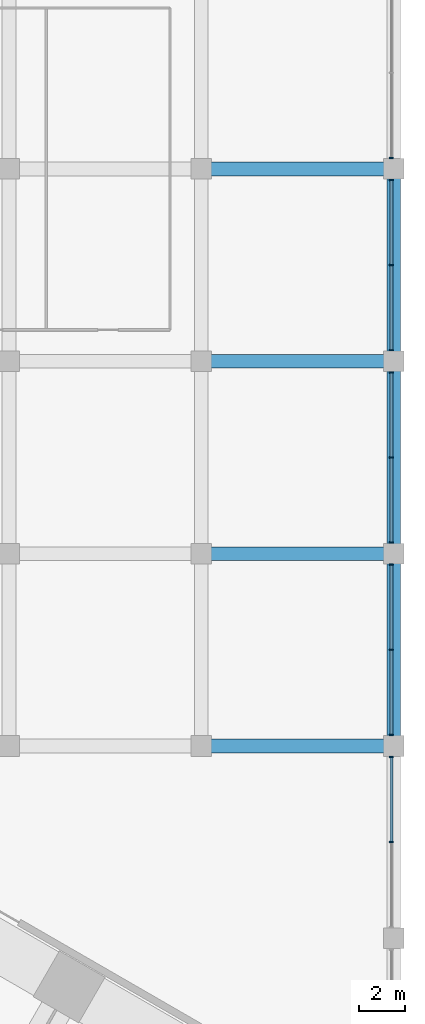
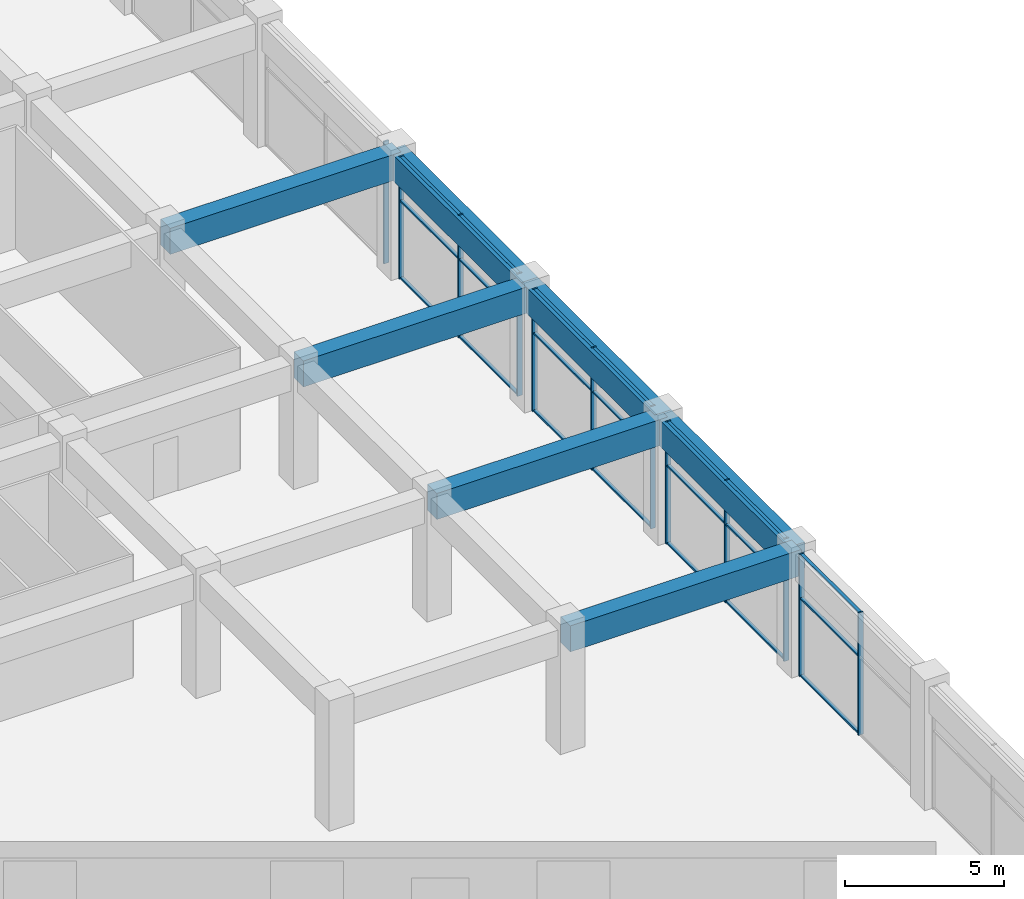
# One storey, part 15 of 36: 33 members, 7 beams, 5 elements without a shape of their own.
"""IFC4 building model written with IfcOpenShell, lengths in metres."""

from ifc_helpers import new_model, si_unit, direction, frame, origin, origin_2d, place, context, subcontext, project, spatial, rectangle, extrude, material, material_profile, profile_set, type_object, element, aggregate, save


model = new_model("IFC4")

# Units and contexts
model_context = context("Model", 3, precision=1e-05, world=origin(), true_north=direction((0.0, 1.0)))
body_context = subcontext(model_context, "Body", "Model", "MODEL_VIEW")
ifc_project = project(units=[si_unit("LENGTHUNIT", "METRE"), si_unit("AREAUNIT", "SQUARE_METRE"), si_unit("VOLUMEUNIT", "CUBIC_METRE"), si_unit("PLANEANGLEUNIT", "RADIAN"), si_unit("MASSUNIT", "GRAM", prefix="KILO")], contexts=[model_context])

# Site, building, storey
site_placement = place(None, origin())
site = spatial("IfcSite", under=ifc_project, at=site_placement, CompositionType="ELEMENT")
building_placement = place(site_placement, origin())
building = spatial("IfcBuilding", under=site, at=building_placement, Name="Impinga Residences", CompositionType="ELEMENT")
storey_placement = place(building_placement, frame((0.0, 0.0, 6.0)))
storey = spatial("IfcBuildingStorey", under=building, at=storey_placement, Name="L01", CompositionType="ELEMENT", Elevation=6.0)

# Curtain wall, member
ifc_material_1 = material(Name="Aluminium stick curtain wall", Category="aluminium")
curtain_wall_type = type_object("IfcCurtainWallType", Name="CW1 podium amenity curtain wall", PredefinedType="USERDEFINED", material=ifc_material_1)
curtain_wall_1_placement = place(storey_placement, origin())
curtain_wall_1 = element("IfcCurtainWall", 1, at=curtain_wall_1_placement, inside=storey, type_object=curtain_wall_type, Name="Curtain wall CW1 L01", ObjectType="STICK CURTAIN WALL", PredefinedType="USERDEFINED")
ifc_material_2 = material(Name="Aluminium mullion", Category="aluminium")
ifc_material_profile_1 = material_profile(ifc_material_2, rectangle(XDim=0.06005859375, YDim=0.179931640625, at=origin_2d()), Name="60x180 mullion")
ifc_profile_set_1 = profile_set([ifc_material_profile_1], Name="Aluminium mullion")
member_type_1 = type_object("IfcMemberType", Name="CW1-M mullion 60x180", PredefinedType="MULLION", material=ifc_profile_set_1)
member_1_placement = place(storey_placement, frame((50.300048828125, 25.68310546875, 0.0), z_axis=(0.0, 0.0, 1.0), x_axis=(0.0, -1.0, 0.0)))
member_1 = element("IfcMember", 2, at=member_1_placement, type_object=member_type_1, Name="CW1 mullion 3", PredefinedType="MULLION", context=body_context, shape_type="SweptSolid", body=[
    extrude(rectangle(XDim=0.06005859375, YDim=0.179931640625, at=origin_2d()), origin(), (0.0, 0.0, 1.0), 4.699951171875),
])
aggregate(curtain_wall_1, [member_1])

# Curtain wall, members
curtain_wall_2_placement = place(storey_placement, origin())
curtain_wall_2 = element("IfcCurtainWall", 3, at=curtain_wall_2_placement, inside=storey, type_object=curtain_wall_type, Name="Curtain wall CW1 L01", ObjectType="STICK CURTAIN WALL", PredefinedType="USERDEFINED")
member_2_placement = place(storey_placement, frame((50.300048828125, 24.717041015625, 0.0), z_axis=(0.0, 0.0, 1.0), x_axis=(0.0, -1.0, 0.0)))
member_2 = element("IfcMember", 4, at=member_2_placement, type_object=member_type_1, Name="CW1 mullion 1", PredefinedType="MULLION", context=body_context, shape_type="SweptSolid", body=[
    extrude(rectangle(XDim=0.06005859375, YDim=0.179931640625, at=origin_2d()), origin(), (0.0, 0.0, 1.0), 4.699951171875),
])
member_3_placement = place(storey_placement, frame((50.300048828125, 21.0, 0.0), z_axis=(0.0, 0.0, 1.0), x_axis=(0.0, -1.0, 0.0)))
member_3 = element("IfcMember", 5, at=member_3_placement, type_object=member_type_1, Name="CW1 mullion 2", PredefinedType="MULLION", context=body_context, shape_type="SweptSolid", body=[
    extrude(rectangle(XDim=0.06005859375, YDim=0.179931640625, at=origin_2d()), origin(), (0.0, 0.0, 1.0), 4.699951171875),
])
member_4_placement = place(storey_placement, frame((50.300048828125, 17.282958984375, 0.0), z_axis=(0.0, 0.0, 1.0), x_axis=(0.0, -1.0, 0.0)))
member_4 = element("IfcMember", 6, at=member_4_placement, type_object=member_type_1, Name="CW1 mullion 3", PredefinedType="MULLION", context=body_context, shape_type="SweptSolid", body=[
    extrude(rectangle(XDim=0.06005859375, YDim=0.179931640625, at=origin_2d()), origin(), (0.0, 0.0, 1.0), 4.699951171875),
])

curtain_wall_3_placement = place(storey_placement, origin())
curtain_wall_3 = element("IfcCurtainWall", 7, at=curtain_wall_3_placement, inside=storey, type_object=curtain_wall_type, Name="Curtain wall CW1 L01", ObjectType="STICK CURTAIN WALL", PredefinedType="USERDEFINED")
member_5_placement = place(storey_placement, frame((50.300048828125, 16.31689453125, 0.0), z_axis=(0.0, 0.0, 1.0), x_axis=(0.0, -1.0, 0.0)))
member_5 = element("IfcMember", 8, at=member_5_placement, type_object=member_type_1, Name="CW1 mullion 1", PredefinedType="MULLION", context=body_context, shape_type="SweptSolid", body=[
    extrude(rectangle(XDim=0.06005859375, YDim=0.179931640625, at=origin_2d()), origin(), (0.0, 0.0, 1.0), 4.699951171875),
])
member_6_placement = place(storey_placement, frame((50.300048828125, 12.60009765625, 0.0), z_axis=(0.0, 0.0, 1.0), x_axis=(0.0, -1.0, 0.0)))
member_6 = element("IfcMember", 9, at=member_6_placement, type_object=member_type_1, Name="CW1 mullion 2", PredefinedType="MULLION", context=body_context, shape_type="SweptSolid", body=[
    extrude(rectangle(XDim=0.06005859375, YDim=0.179931640625, at=origin_2d()), origin(), (0.0, 0.0, 1.0), 4.699951171875),
])
member_7_placement = place(storey_placement, frame((50.300048828125, 8.883056640625, 0.0), z_axis=(0.0, 0.0, 1.0), x_axis=(0.0, -1.0, 0.0)))
member_7 = element("IfcMember", 10, at=member_7_placement, type_object=member_type_1, Name="CW1 mullion 3", PredefinedType="MULLION", context=body_context, shape_type="SweptSolid", body=[
    extrude(rectangle(XDim=0.06005859375, YDim=0.179931640625, at=origin_2d()), origin(), (0.0, 0.0, 1.0), 4.699951171875),
])

curtain_wall_4_placement = place(storey_placement, origin())
curtain_wall_4 = element("IfcCurtainWall", 11, at=curtain_wall_4_placement, inside=storey, type_object=curtain_wall_type, Name="Curtain wall CW1 L01", ObjectType="STICK CURTAIN WALL", PredefinedType="USERDEFINED")
member_8_placement = place(storey_placement, frame((50.300048828125, 7.9169921875, 0.0), z_axis=(0.0, 0.0, 1.0), x_axis=(0.0, -1.0, 0.0)))
member_8 = element("IfcMember", 12, at=member_8_placement, type_object=member_type_1, Name="CW1 mullion 1", PredefinedType="MULLION", context=body_context, shape_type="SweptSolid", body=[
    extrude(rectangle(XDim=0.06005859375, YDim=0.179931640625, at=origin_2d()), origin(), (0.0, 0.0, 1.0), 4.699951171875),
])
member_9_placement = place(storey_placement, frame((50.300048828125, 4.199951171875, 0.0), z_axis=(0.0, 0.0, 1.0), x_axis=(0.0, -1.0, 0.0)))
member_9 = element("IfcMember", 13, at=member_9_placement, type_object=member_type_1, Name="CW1 mullion 2", PredefinedType="MULLION", context=body_context, shape_type="SweptSolid", body=[
    extrude(rectangle(XDim=0.06005859375, YDim=0.179931640625, at=origin_2d()), origin(), (0.0, 0.0, 1.0), 4.699951171875),
])
member_10_placement = place(storey_placement, frame((50.300048828125, 0.48291015625, 0.0), z_axis=(0.0, 0.0, 1.0), x_axis=(0.0, -1.0, 0.0)))
member_10 = element("IfcMember", 14, at=member_10_placement, type_object=member_type_1, Name="CW1 mullion 3", PredefinedType="MULLION", context=body_context, shape_type="SweptSolid", body=[
    extrude(rectangle(XDim=0.06005859375, YDim=0.179931640625, at=origin_2d()), origin(), (0.0, 0.0, 1.0), 4.699951171875),
])

curtain_wall_5_placement = place(storey_placement, origin())
curtain_wall_5 = element("IfcCurtainWall", 15, at=curtain_wall_5_placement, inside=storey, type_object=curtain_wall_type, Name="Curtain wall CW1 L01", ObjectType="STICK CURTAIN WALL", PredefinedType="USERDEFINED")
member_11_placement = place(storey_placement, frame((50.300048828125, -0.48291015625, 0.0), z_axis=(0.0, 0.0, 1.0), x_axis=(0.0, -1.0, 0.0)))
member_11 = element("IfcMember", 16, at=member_11_placement, type_object=member_type_1, Name="CW1 mullion 1", PredefinedType="MULLION", context=body_context, shape_type="SweptSolid", body=[
    extrude(rectangle(XDim=0.06005859375, YDim=0.179931640625, at=origin_2d()), origin(), (0.0, 0.0, 1.0), 4.699951171875),
])
member_12_placement = place(storey_placement, frame((50.300048828125, -4.199951171875, 0.0), z_axis=(0.0, 0.0, 1.0), x_axis=(0.0, -1.0, 0.0)))
member_12 = element("IfcMember", 17, at=member_12_placement, type_object=member_type_1, Name="CW1 mullion 2", PredefinedType="MULLION", context=body_context, shape_type="SweptSolid", body=[
    extrude(rectangle(XDim=0.06005859375, YDim=0.179931640625, at=origin_2d()), origin(), (0.0, 0.0, 1.0), 4.699951171875),
])

# Member
ifc_material_3 = material(Name="Aluminium transom", Category="aluminium")
ifc_material_profile_2 = material_profile(ifc_material_3, rectangle(XDim=0.06005859375, YDim=0.1201171875, at=origin_2d()), Name="60x120 transom")
ifc_profile_set_2 = profile_set([ifc_material_profile_2], Name="Aluminium transom")
member_type_2 = type_object("IfcMemberType", Name="CW1-T transom 60x120", PredefinedType="USERDEFINED", material=ifc_profile_set_2)
member_13_placement = place(storey_placement, frame((50.300048828125, 24.68701171875, 0.030029296875), z_axis=(0.0, -1.0, 0.0), x_axis=(0.0, 0.0, 1.0)))
member_13 = element("IfcMember", 18, at=member_13_placement, type_object=member_type_2, Name="CW1 transom 1.1", ObjectType="TRANSOM", PredefinedType="USERDEFINED", context=body_context, shape_type="SweptSolid", body=[
    extrude(rectangle(XDim=0.06005859375, YDim=0.1201171875, at=origin_2d()), origin(), (0.0, 0.0, 1.0), 3.656982421875),
])

member_14_placement = place(storey_placement, frame((50.300048828125, 24.68701171875, 3.0), z_axis=(0.0, -1.0, 0.0), x_axis=(0.0, 0.0, 1.0)))
member_14 = element("IfcMember", 19, at=member_14_placement, type_object=member_type_2, Name="CW1 transom 1.2", ObjectType="TRANSOM", PredefinedType="USERDEFINED", context=body_context, shape_type="SweptSolid", body=[
    extrude(rectangle(XDim=0.06005859375, YDim=0.1201171875, at=origin_2d()), origin(), (0.0, 0.0, 1.0), 3.656982421875),
])

member_15_placement = place(storey_placement, frame((50.300048828125, 24.68701171875, 4.669921875), z_axis=(0.0, -1.0, 0.0), x_axis=(0.0, 0.0, 1.0)))
member_15 = element("IfcMember", 20, at=member_15_placement, type_object=member_type_2, Name="CW1 transom 1.3", ObjectType="TRANSOM", PredefinedType="USERDEFINED", context=body_context, shape_type="SweptSolid", body=[
    extrude(rectangle(XDim=0.06005859375, YDim=0.1201171875, at=origin_2d()), origin(), (0.0, 0.0, 1.0), 3.656982421875),
])

member_16_placement = place(storey_placement, frame((50.300048828125, 20.969970703125, 0.030029296875), z_axis=(0.0, -1.0, 0.0), x_axis=(0.0, 0.0, 1.0)))
member_16 = element("IfcMember", 21, at=member_16_placement, type_object=member_type_2, Name="CW1 transom 2.1", ObjectType="TRANSOM", PredefinedType="USERDEFINED", context=body_context, shape_type="SweptSolid", body=[
    extrude(rectangle(XDim=0.06005859375, YDim=0.1201171875, at=origin_2d()), origin(), (0.0, 0.0, 1.0), 3.656982421875),
])

member_17_placement = place(storey_placement, frame((50.300048828125, 20.969970703125, 3.0), z_axis=(0.0, -1.0, 0.0), x_axis=(0.0, 0.0, 1.0)))
member_17 = element("IfcMember", 22, at=member_17_placement, type_object=member_type_2, Name="CW1 transom 2.2", ObjectType="TRANSOM", PredefinedType="USERDEFINED", context=body_context, shape_type="SweptSolid", body=[
    extrude(rectangle(XDim=0.06005859375, YDim=0.1201171875, at=origin_2d()), origin(), (0.0, 0.0, 1.0), 3.656982421875),
])

member_18_placement = place(storey_placement, frame((50.300048828125, 20.969970703125, 4.669921875), z_axis=(0.0, -1.0, 0.0), x_axis=(0.0, 0.0, 1.0)))
member_18 = element("IfcMember", 23, at=member_18_placement, type_object=member_type_2, Name="CW1 transom 2.3", ObjectType="TRANSOM", PredefinedType="USERDEFINED", context=body_context, shape_type="SweptSolid", body=[
    extrude(rectangle(XDim=0.06005859375, YDim=0.1201171875, at=origin_2d()), origin(), (0.0, 0.0, 1.0), 3.656982421875),
])

aggregate(curtain_wall_2, [member_2, member_3, member_4, member_13, member_14, member_15, member_16, member_17, member_18])

member_19_placement = place(storey_placement, frame((50.300048828125, 16.287109375, 0.030029296875), z_axis=(0.0, -1.0, 0.0), x_axis=(0.0, 0.0, 1.0)))
member_19 = element("IfcMember", 24, at=member_19_placement, type_object=member_type_2, Name="CW1 transom 1.1", ObjectType="TRANSOM", PredefinedType="USERDEFINED", context=body_context, shape_type="SweptSolid", body=[
    extrude(rectangle(XDim=0.06005859375, YDim=0.1201171875, at=origin_2d()), origin(), (0.0, 0.0, 1.0), 3.6572265625),
])

member_20_placement = place(storey_placement, frame((50.300048828125, 16.287109375, 3.0), z_axis=(0.0, -1.0, 0.0), x_axis=(0.0, 0.0, 1.0)))
member_20 = element("IfcMember", 25, at=member_20_placement, type_object=member_type_2, Name="CW1 transom 1.2", ObjectType="TRANSOM", PredefinedType="USERDEFINED", context=body_context, shape_type="SweptSolid", body=[
    extrude(rectangle(XDim=0.06005859375, YDim=0.1201171875, at=origin_2d()), origin(), (0.0, 0.0, 1.0), 3.6572265625),
])

member_21_placement = place(storey_placement, frame((50.300048828125, 16.287109375, 4.669921875), z_axis=(0.0, -1.0, 0.0), x_axis=(0.0, 0.0, 1.0)))
member_21 = element("IfcMember", 26, at=member_21_placement, type_object=member_type_2, Name="CW1 transom 1.3", ObjectType="TRANSOM", PredefinedType="USERDEFINED", context=body_context, shape_type="SweptSolid", body=[
    extrude(rectangle(XDim=0.06005859375, YDim=0.1201171875, at=origin_2d()), origin(), (0.0, 0.0, 1.0), 3.6572265625),
])

member_22_placement = place(storey_placement, frame((50.300048828125, 12.570068359375, 0.030029296875), z_axis=(0.0, -1.0, 0.0), x_axis=(0.0, 0.0, 1.0)))
member_22 = element("IfcMember", 27, at=member_22_placement, type_object=member_type_2, Name="CW1 transom 2.1", ObjectType="TRANSOM", PredefinedType="USERDEFINED", context=body_context, shape_type="SweptSolid", body=[
    extrude(rectangle(XDim=0.06005859375, YDim=0.1201171875, at=origin_2d()), origin(), (0.0, 0.0, 1.0), 3.656982421875),
])

member_23_placement = place(storey_placement, frame((50.300048828125, 12.570068359375, 3.0), z_axis=(0.0, -1.0, 0.0), x_axis=(0.0, 0.0, 1.0)))
member_23 = element("IfcMember", 28, at=member_23_placement, type_object=member_type_2, Name="CW1 transom 2.2", ObjectType="TRANSOM", PredefinedType="USERDEFINED", context=body_context, shape_type="SweptSolid", body=[
    extrude(rectangle(XDim=0.06005859375, YDim=0.1201171875, at=origin_2d()), origin(), (0.0, 0.0, 1.0), 3.656982421875),
])

member_24_placement = place(storey_placement, frame((50.300048828125, 12.570068359375, 4.669921875), z_axis=(0.0, -1.0, 0.0), x_axis=(0.0, 0.0, 1.0)))
member_24 = element("IfcMember", 29, at=member_24_placement, type_object=member_type_2, Name="CW1 transom 2.3", ObjectType="TRANSOM", PredefinedType="USERDEFINED", context=body_context, shape_type="SweptSolid", body=[
    extrude(rectangle(XDim=0.06005859375, YDim=0.1201171875, at=origin_2d()), origin(), (0.0, 0.0, 1.0), 3.656982421875),
])

aggregate(curtain_wall_3, [member_5, member_6, member_7, member_19, member_20, member_21, member_22, member_23, member_24])

member_25_placement = place(storey_placement, frame((50.300048828125, 7.886962890625, 0.030029296875), z_axis=(0.0, -1.0, 0.0), x_axis=(0.0, 0.0, 1.0)))
member_25 = element("IfcMember", 30, at=member_25_placement, type_object=member_type_2, Name="CW1 transom 1.1", ObjectType="TRANSOM", PredefinedType="USERDEFINED", context=body_context, shape_type="SweptSolid", body=[
    extrude(rectangle(XDim=0.06005859375, YDim=0.1201171875, at=origin_2d()), origin(), (0.0, 0.0, 1.0), 3.656982421875),
])

member_26_placement = place(storey_placement, frame((50.300048828125, 7.886962890625, 3.0), z_axis=(0.0, -1.0, 0.0), x_axis=(0.0, 0.0, 1.0)))
member_26 = element("IfcMember", 31, at=member_26_placement, type_object=member_type_2, Name="CW1 transom 1.2", ObjectType="TRANSOM", PredefinedType="USERDEFINED", context=body_context, shape_type="SweptSolid", body=[
    extrude(rectangle(XDim=0.06005859375, YDim=0.1201171875, at=origin_2d()), origin(), (0.0, 0.0, 1.0), 3.656982421875),
])

member_27_placement = place(storey_placement, frame((50.300048828125, 7.886962890625, 4.669921875), z_axis=(0.0, -1.0, 0.0), x_axis=(0.0, 0.0, 1.0)))
member_27 = element("IfcMember", 32, at=member_27_placement, type_object=member_type_2, Name="CW1 transom 1.3", ObjectType="TRANSOM", PredefinedType="USERDEFINED", context=body_context, shape_type="SweptSolid", body=[
    extrude(rectangle(XDim=0.06005859375, YDim=0.1201171875, at=origin_2d()), origin(), (0.0, 0.0, 1.0), 3.656982421875),
])

member_28_placement = place(storey_placement, frame((50.300048828125, 4.169921875, 0.030029296875), z_axis=(0.0, -1.0, 0.0), x_axis=(0.0, 0.0, 1.0)))
member_28 = element("IfcMember", 33, at=member_28_placement, type_object=member_type_2, Name="CW1 transom 2.1", ObjectType="TRANSOM", PredefinedType="USERDEFINED", context=body_context, shape_type="SweptSolid", body=[
    extrude(rectangle(XDim=0.06005859375, YDim=0.1201171875, at=origin_2d()), origin(), (0.0, 0.0, 1.0), 3.656982421875),
])

member_29_placement = place(storey_placement, frame((50.300048828125, 4.169921875, 3.0), z_axis=(0.0, -1.0, 0.0), x_axis=(0.0, 0.0, 1.0)))
member_29 = element("IfcMember", 34, at=member_29_placement, type_object=member_type_2, Name="CW1 transom 2.2", ObjectType="TRANSOM", PredefinedType="USERDEFINED", context=body_context, shape_type="SweptSolid", body=[
    extrude(rectangle(XDim=0.06005859375, YDim=0.1201171875, at=origin_2d()), origin(), (0.0, 0.0, 1.0), 3.656982421875),
])

member_30_placement = place(storey_placement, frame((50.300048828125, 4.169921875, 4.669921875), z_axis=(0.0, -1.0, 0.0), x_axis=(0.0, 0.0, 1.0)))
member_30 = element("IfcMember", 35, at=member_30_placement, type_object=member_type_2, Name="CW1 transom 2.3", ObjectType="TRANSOM", PredefinedType="USERDEFINED", context=body_context, shape_type="SweptSolid", body=[
    extrude(rectangle(XDim=0.06005859375, YDim=0.1201171875, at=origin_2d()), origin(), (0.0, 0.0, 1.0), 3.656982421875),
])

aggregate(curtain_wall_4, [member_8, member_9, member_10, member_25, member_26, member_27, member_28, member_29, member_30])

member_31_placement = place(storey_placement, frame((50.300048828125, -0.512939453125, 0.030029296875), z_axis=(0.0, -1.0, 0.0), x_axis=(0.0, 0.0, 1.0)))
member_31 = element("IfcMember", 36, at=member_31_placement, type_object=member_type_2, Name="CW1 transom 1.1", ObjectType="TRANSOM", PredefinedType="USERDEFINED", context=body_context, shape_type="SweptSolid", body=[
    extrude(rectangle(XDim=0.06005859375, YDim=0.1201171875, at=origin_2d()), origin(), (0.0, 0.0, 1.0), 3.656982421875),
])

member_32_placement = place(storey_placement, frame((50.300048828125, -0.512939453125, 3.0), z_axis=(0.0, -1.0, 0.0), x_axis=(0.0, 0.0, 1.0)))
member_32 = element("IfcMember", 37, at=member_32_placement, type_object=member_type_2, Name="CW1 transom 1.2", ObjectType="TRANSOM", PredefinedType="USERDEFINED", context=body_context, shape_type="SweptSolid", body=[
    extrude(rectangle(XDim=0.06005859375, YDim=0.1201171875, at=origin_2d()), origin(), (0.0, 0.0, 1.0), 3.656982421875),
])

member_33_placement = place(storey_placement, frame((50.300048828125, -0.512939453125, 4.669921875), z_axis=(0.0, -1.0, 0.0), x_axis=(0.0, 0.0, 1.0)))
member_33 = element("IfcMember", 38, at=member_33_placement, type_object=member_type_2, Name="CW1 transom 1.3", ObjectType="TRANSOM", PredefinedType="USERDEFINED", context=body_context, shape_type="SweptSolid", body=[
    extrude(rectangle(XDim=0.06005859375, YDim=0.1201171875, at=origin_2d()), origin(), (0.0, 0.0, 1.0), 3.656982421875),
])

aggregate(curtain_wall_5, [member_11, member_12, member_31, member_32, member_33])

# Beams
ifc_material_4 = material(Name="Concrete C60/75", Category="concrete")
ifc_material_profile_3 = material_profile(ifc_material_4, rectangle(XDim=0.60009765625, YDim=1.0, at=origin_2d()), Name="RC 600x1000")
ifc_profile_set_3 = profile_set([ifc_material_profile_3], Name="Concrete C60/75")
beam_type = type_object("IfcBeamType", Name="PB2 600x1000 podium beam", PredefinedType="BEAM", material=ifc_profile_set_3)
for number, where, z_axis, x_axis, name in (
    (39, (42.0, 0.0, 4.199951171875), (1.0, 0.0, 0.0), (0.0, 1.0, 0.0), "Beam PB2 F/12-13 level L02"),
    (40, (42.0, 8.39990234375, 4.199951171875), (1.0, 0.0, 0.0), (0.0, 1.0, 0.0), "Beam PB2 G/12-13 level L02"),
    (41, (42.0, 16.800048828125, 4.199951171875), (1.0, 0.0, 0.0), (0.0, 1.0, 0.0), "Beam PB2 H/12-13 level L02"),
    (42, (42.0, 25.199951171875, 4.199951171875), (1.0, 0.0, 0.0), (0.0, 1.0, 0.0), "Beam PB2 J/12-13 level L02"),
    (43, (50.39990234375, 0.0, 4.199951171875), (0.0, 1.0, 0.0), (-1.0, 0.0, 0.0), "Beam PB2 13/F-G level L02"),
):
    element("IfcBeam", number, at=place(storey_placement, frame(where, z_axis=z_axis, x_axis=x_axis)), inside=storey, type_object=beam_type, Name=name, PredefinedType="BEAM", context=body_context, shape_type="SweptSolid", body=[
        extrude(rectangle(XDim=0.60009765625, YDim=1.0, at=origin_2d()), origin(), (0.0, 0.0, 1.0), 8.39990234375),
    ])
beam_1_placement = place(storey_placement, frame((50.39990234375, 8.39990234375, 4.199951171875), z_axis=(0.0, 1.0, 0.0), x_axis=(-1.0, 0.0, 0.0)))
element("IfcBeam", 44, at=beam_1_placement, inside=storey, type_object=beam_type, Name="Beam PB2 13/G-H level L02", PredefinedType="BEAM", context=body_context, shape_type="SweptSolid", body=[
    extrude(rectangle(XDim=0.60009765625, YDim=1.0, at=origin_2d()), origin(), (0.0, 0.0, 1.0), 8.400146484375),
])
beam_2_placement = place(storey_placement, frame((50.39990234375, 16.800048828125, 4.199951171875), z_axis=(0.0, 1.0, 0.0), x_axis=(-1.0, 0.0, 0.0)))
element("IfcBeam", 45, at=beam_2_placement, inside=storey, type_object=beam_type, Name="Beam PB2 13/H-J level L02", PredefinedType="BEAM", context=body_context, shape_type="SweptSolid", body=[
    extrude(rectangle(XDim=0.60009765625, YDim=1.0, at=origin_2d()), origin(), (0.0, 0.0, 1.0), 8.39990234375),
])

save(model, "model.ifc")
